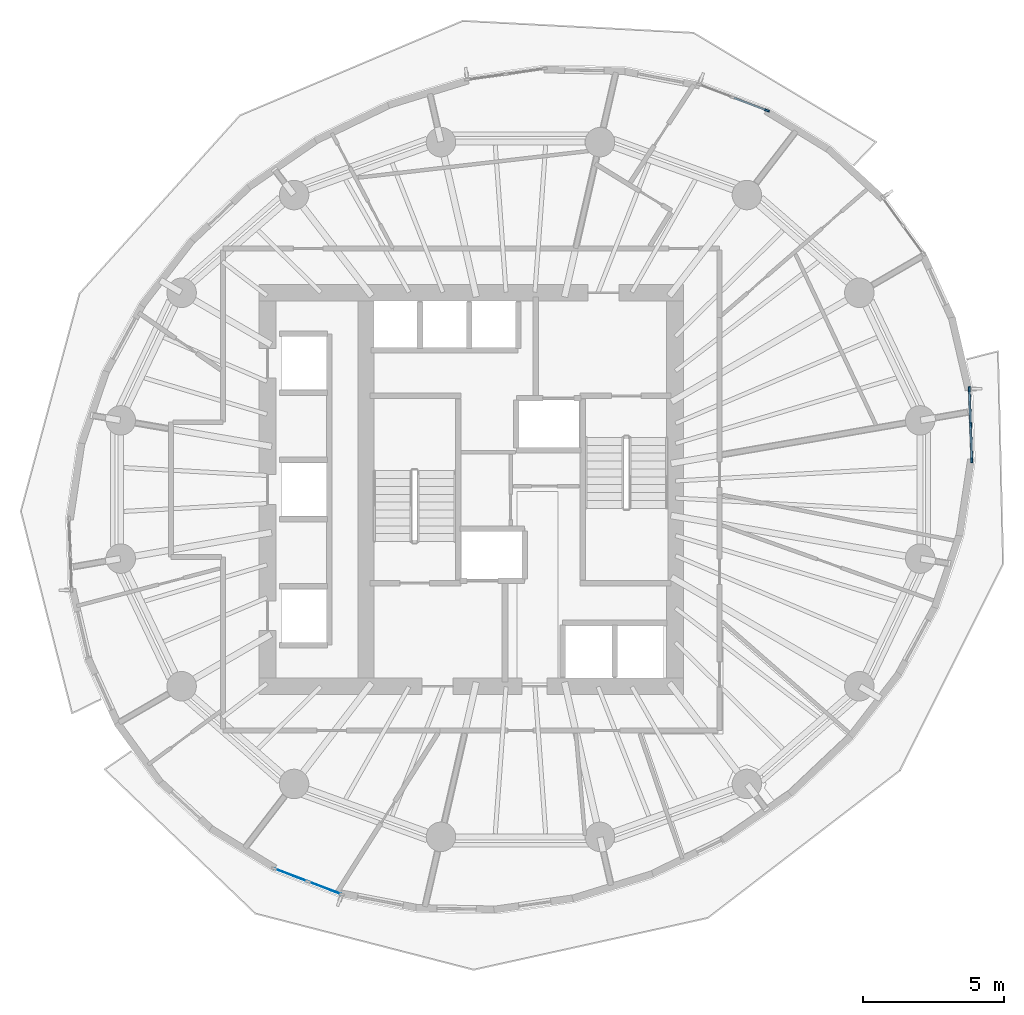
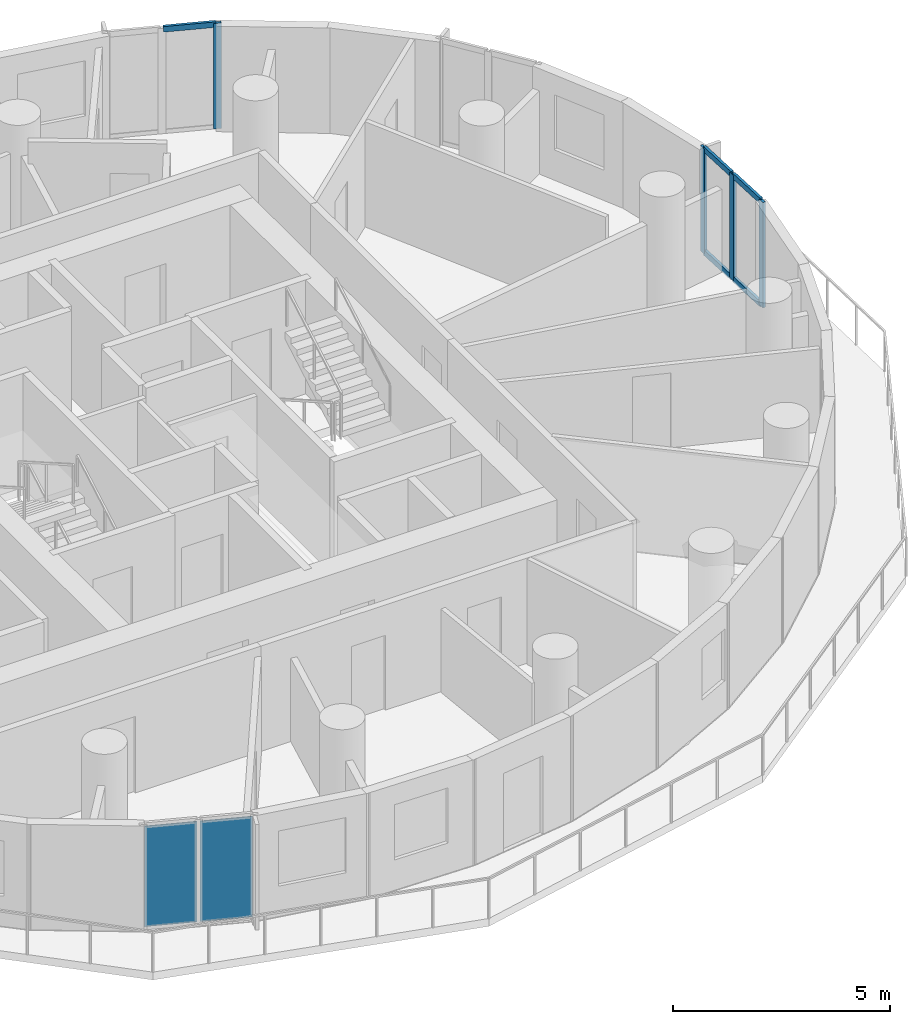
# One storey, part 4 of 14: 9 members, 2 plates, 3 elements without a shape of their own.
"""IFC4 building model written with IfcOpenShell, lengths in metres."""

import ifcopenshell
import ifcopenshell.guid

model = None  # the IFC model being written
_history = None  # IfcOwnerHistory: only IFC2X3 demands one
_inside = {}  # id of a spatial element -> (the spatial element, [elements in it])
_under = {}  # id of a project, library or spatial element -> (it, [spatial elements below it])
_declared = {}  # id of a project -> (the project, [libraries it declares])
_typed = {}  # id of a type object -> (the type object, [elements of that type])
_made_of = {}  # id of a material, layer set ... -> (it, [elements and type objects made of it])


def new_model(schema):
    """Start an empty IFC model of exactly this schema.

    Asked for "IFC4X3", IfcOpenShell would pick the latest addendum, in which some entities
    have other attributes; the version numbers below select the first issue.
    IFC2X3 requires an IfcOwnerHistory on every rooted entity: one is made here for all.
    """
    global model, _history
    if schema == "IFC4X3":
        model = ifcopenshell.file(schema_version=(4, 3, 0, 0))
    else:
        model = ifcopenshell.file(schema=schema)
    _inside.clear()
    _under.clear()
    _declared.clear()
    _typed.clear()
    _made_of.clear()
    _history = None
    if model.schema == "IFC2X3":
        org = make("IfcOrganization", Name="unknown")
        user = make(
            "IfcPersonAndOrganization",
            ThePerson=make("IfcPerson", FamilyName="unknown"),
            TheOrganization=org,
        )
        app = make(
            "IfcApplication",
            ApplicationDeveloper=org,
            Version="unknown",
            ApplicationFullName="unknown",
            ApplicationIdentifier="unknown",
        )
        _history = make(
            "IfcOwnerHistory",
            OwningUser=user,
            OwningApplication=app,
            ChangeAction="ADDED",
            CreationDate=0,
        )
    return model


def make(cls, **values):
    """One entity of the class cls with the attributes given. An attribute that is None is left unset."""
    return model.create_entity(
        cls, **{name: value for name, value in values.items() if value is not None}
    )


def rooted(cls, **values):
    """An entity with a GlobalId (a new one), such as an element, a storey or a relation."""
    return make(cls, GlobalId=ifcopenshell.guid.new(), OwnerHistory=_history, **values)


def si_unit(unit_type, name, prefix=None):
    """IfcSIUnit, for example si_unit("LENGTHUNIT", "METRE", prefix="MILLI")."""
    return make("IfcSIUnit", UnitType=unit_type, Prefix=prefix, Name=name)


def assignment(units):
    """IfcUnitAssignment: the units of a project."""
    return None if units is None else make("IfcUnitAssignment", Units=units)


def point(xyz):
    """IfcCartesianPoint."""
    return None if xyz is None else make("IfcCartesianPoint", Coordinates=xyz)


def direction(xyz):
    """IfcDirection."""
    return None if xyz is None else make("IfcDirection", DirectionRatios=xyz)


def frame(location, z_axis=None, x_axis=None):
    """IfcAxis2Placement3D, a coordinate frame: its origin and axes. An axis left out is left unset."""
    return make(
        "IfcAxis2Placement3D",
        Location=point(location),
        Axis=direction(z_axis),
        RefDirection=direction(x_axis),
    )


def frame_2d(location, x_axis=None):
    """IfcAxis2Placement2D, a coordinate frame in the plane: its origin and x axis."""
    return make(
        "IfcAxis2Placement2D", Location=point(location), RefDirection=direction(x_axis)
    )


def origin():
    """The frame at (0, 0, 0) with its axes left unset."""
    return frame((0.0, 0.0, 0.0))


def origin_2d():
    """The frame at (0, 0) in the plane with its x axis left unset."""
    return frame_2d((0.0, 0.0))


def place(relative_to, where):
    """IfcLocalPlacement: puts the frame where relative to a parent placement (None: the world)."""
    return make(
        "IfcLocalPlacement", PlacementRelTo=relative_to, RelativePlacement=where
    )


def context(
    kind, dimensions, precision=None, world=None, true_north=None, identifier=None
):
    """IfcGeometricRepresentationContext, for example the 3D "Model" context."""
    return make(
        "IfcGeometricRepresentationContext",
        ContextIdentifier=identifier,
        ContextType=kind,
        CoordinateSpaceDimension=dimensions,
        Precision=precision,
        WorldCoordinateSystem=world,
        TrueNorth=true_north,
    )


def subcontext(parent, identifier, kind, view, scale=None):
    """IfcGeometricRepresentationSubContext, for example "Body" below "Model"."""
    return make(
        "IfcGeometricRepresentationSubContext",
        ContextIdentifier=identifier,
        ContextType=kind,
        ParentContext=parent,
        TargetScale=scale,
        TargetView=view,
    )


def project(units=None, contexts=None):
    """IfcProject with its units and contexts."""
    return rooted(
        "IfcProject",
        Name="project",
        RepresentationContexts=contexts,
        UnitsInContext=assignment(units),
    )


def spatial(cls, under=None, at=None, **own):
    """A site, building, storey or space (cls), placed at a placement, below another one or the project."""
    s = rooted(cls, ObjectPlacement=at, **own)
    if under is not None:
        _under.setdefault(under.id(), (under, []))[1].append(s)
    return s


def profile(cls, at=None, kind="AREA", **sizes):
    """A parametric profile (cls). Its sizes go by their IFC names, for example OverallWidth=200.0."""
    return make(cls, ProfileType=kind, Position=at, **sizes)


def rectangle(**sizes):
    """IfcRectangleProfileDef."""
    return profile("IfcRectangleProfileDef", **sizes)


def extrude(swept, where, along, depth):
    """IfcExtrudedAreaSolid: the profile swept, set in the frame where, extruded along a direction by depth."""
    return make(
        "IfcExtrudedAreaSolid",
        SweptArea=swept,
        Position=where,
        ExtrudedDirection=direction(along),
        Depth=depth,
    )


def shape(context_of_items, identifier, shape_type, items):
    """IfcShapeRepresentation: the items that make up one representation, for example the "Body"."""
    return make(
        "IfcShapeRepresentation",
        ContextOfItems=context_of_items,
        RepresentationIdentifier=identifier,
        RepresentationType=shape_type,
        Items=items,
    )


def material(Name=None, Category=None):
    """IfcMaterial."""
    return make("IfcMaterial", Name=Name, Category=Category)


def layer(
    of_material, thickness, ventilated=None, Name=None, Category=None, Priority=None
):
    """IfcMaterialLayer: one layer of a wall or slab, of a material (None: an air gap)."""
    return make(
        "IfcMaterialLayer",
        Material=of_material,
        LayerThickness=thickness,
        IsVentilated=ventilated,
        Name=Name,
        Category=Category,
        Priority=Priority,
    )


def layer_set(layers, Name=None):
    """IfcMaterialLayerSet."""
    return make("IfcMaterialLayerSet", MaterialLayers=layers, LayerSetName=Name)


def material_profile(
    of_material, cross_section, Name=None, Category=None, Priority=None
):
    """IfcMaterialProfile: a cross section and its material."""
    return make(
        "IfcMaterialProfile",
        Name=Name,
        Material=of_material,
        Profile=cross_section,
        Priority=Priority,
        Category=Category,
    )


def profile_set(profiles, Name=None, composite=None):
    """IfcMaterialProfileSet."""
    return make(
        "IfcMaterialProfileSet",
        Name=Name,
        MaterialProfiles=profiles,
        CompositeProfile=composite,
    )


def made_of(thing, what):
    """Note that an element or type object is made of a material, layer set ...; save() writes the relation."""
    if what is not None:
        _made_of.setdefault(what.id(), (what, []))[1].append(thing)
    return thing


def type_object(cls, material=None, **own):
    """A type object (cls), such as IfcWallType, which elements share."""
    return made_of(rooted(cls, **own), material)


def element(
    cls,
    number,
    at=None,
    inside=None,
    cuts=None,
    type_object=None,
    material=None,
    context=None,
    identifier="Body",
    shape_type=None,
    held_by="IfcProductDefinitionShape",
    body=None,
    shapes=None,
    **own,
):
    """One element of the class cls, such as IfcWall. Its Tag is "e" and its number.

    at: its placement. inside: the storey or other place that contains it. cuts: it is an
    opening in that element (IfcRelVoidsElement). A single representation is given by context,
    identifier, shape_type and body (its items); several are given by shapes. held_by: the class
    of the entity that holds the representations. save() writes the other relations.
    """
    e = rooted(cls, Tag="e%d" % number, ObjectPlacement=at, **own)
    if body is not None:
        shapes = [shape(context, identifier, shape_type, body)]
    if shapes is not None:
        e.Representation = make(held_by, Representations=shapes)
    if inside is not None:
        _inside.setdefault(inside.id(), (inside, []))[1].append(e)
    if cuts is not None:
        rooted(
            "IfcRelVoidsElement", RelatingBuildingElement=cuts, RelatedOpeningElement=e
        )
    if type_object is not None:
        _typed.setdefault(type_object.id(), (type_object, []))[1].append(e)
    return made_of(e, material)


def aggregate(whole, parts):
    """IfcRelAggregates: a whole, such as a stair, and the parts it consists of."""
    return rooted("IfcRelAggregates", RelatingObject=whole, RelatedObjects=parts)


def save(model, path):
    """Write the relations noted so far, then the file.

    IfcRelAggregates (storeys below a building ...), IfcRelContainedInSpatialStructure (elements
    in a storey), IfcRelDefinesByType, IfcRelAssociatesMaterial and IfcRelDeclares: one each for
    every whole, place, type object, material and project.
    """
    for whole, parts in _under.values():
        aggregate(whole, parts)
    for where, things in _inside.values():
        rooted(
            "IfcRelContainedInSpatialStructure",
            RelatedElements=things,
            RelatingStructure=where,
        )
    for kind, things in _typed.values():
        rooted("IfcRelDefinesByType", RelatedObjects=things, RelatingType=kind)
    for what, things in _made_of.values():
        rooted("IfcRelAssociatesMaterial", RelatedObjects=things, RelatingMaterial=what)
    for by, libraries in _declared.values():
        rooted("IfcRelDeclares", RelatingContext=by, RelatedDefinitions=libraries)
    model.write(path)


model = new_model("IFC4")

# Units and contexts
model_context = context("Model", 3, precision=1e-05, world=origin(), true_north=direction((0.0, 1.0)))
body_context = subcontext(model_context, "Body", "Model", "MODEL_VIEW")
ifc_project = project(units=[si_unit("LENGTHUNIT", "METRE"), si_unit("AREAUNIT", "SQUARE_METRE"), si_unit("VOLUMEUNIT", "CUBIC_METRE"), si_unit("PLANEANGLEUNIT", "RADIAN"), si_unit("MASSUNIT", "GRAM", prefix="KILO")], contexts=[model_context])

# Site, building, storey
site_placement = place(None, origin())
site = spatial("IfcSite", under=ifc_project, at=site_placement, CompositionType="ELEMENT")
building_placement = place(site_placement, origin())
building = spatial("IfcBuilding", under=site, at=building_placement, Name="Veldorim Arch Residences", CompositionType="ELEMENT")
storey_placement = place(building_placement, frame((0.0, 0.0, 129.760009765625)))
storey = spatial("IfcBuildingStorey", under=building, at=storey_placement, Name="L38", CompositionType="ELEMENT", Elevation=129.760009765625)

# Curtain wall, member
ifc_material_1 = material(Name="Aluminium", Category="aluminium")
curtain_wall_type = type_object("IfcCurtainWallType", Name="Zone 3 High-Wind Unitised Curtain Wall", PredefinedType="NOTDEFINED", material=ifc_material_1)
curtain_wall_1_placement = place(storey_placement, origin())
curtain_wall_1 = element("IfcCurtainWall", 1, at=curtain_wall_1_placement, inside=storey, type_object=curtain_wall_type, Name="L38 unitised curtain wall bay 04", PredefinedType="NOTDEFINED")
ifc_material_2 = material(Name="Aluminium", Category="aluminium")
ifc_material_profile_1 = material_profile(ifc_material_2, rectangle(XDim=0.070068359375, YDim=0.179931640625, at=origin_2d()), Name="ALU_MUL_70x180")
ifc_profile_set_1 = profile_set([ifc_material_profile_1], Name="Aluminium")
member_type_1 = type_object("IfcMemberType", Name="Zone 3 High-Wind Unitised Curtain Wall Mullion 70x180", PredefinedType="MULLION", material=ifc_profile_set_1)
member_1_placement = place(storey_placement, frame((40.7734375, 37.484130859375, 0.0), z_axis=(0.0, 0.0, 1.0), x_axis=(0.356987085335, 0.934109319568, 0.0)))
member_1 = element("IfcMember", 2, at=member_1_placement, type_object=member_type_1, Name="CW-Z3 mullion 3", PredefinedType="MULLION", context=body_context, shape_type="SweptSolid", body=[
    extrude(rectangle(XDim=0.070068359375, YDim=0.179931640625, at=origin_2d()), origin(), (0.0, 0.0, 1.0), 2.9599609375),
])

# Curtain wall, members
curtain_wall_2_placement = place(storey_placement, origin())
curtain_wall_2 = element("IfcCurtainWall", 3, at=curtain_wall_2_placement, inside=storey, type_object=curtain_wall_type, Name="L38 unitised curtain wall bay 34", PredefinedType="NOTDEFINED")
member_2_placement = place(storey_placement, frame((47.9697265625, 27.57470703125, 0.0), z_axis=(0.0, 0.0, 1.0), x_axis=(0.999369736243, 0.035498313784, 0.0)))
member_2 = element("IfcMember", 4, at=member_2_placement, type_object=member_type_1, Name="CW-Z3 mullion 1", PredefinedType="MULLION", context=body_context, shape_type="SweptSolid", body=[
    extrude(rectangle(XDim=0.070068359375, YDim=0.179931640625, at=origin_2d()), origin(), (0.0, 0.0, 1.0), 2.9599609375),
])
member_3_placement = place(storey_placement, frame((48.014892578125, 26.30908203125, 0.0), z_axis=(0.0, 0.0, 1.0), x_axis=(0.999369736243, 0.035498313784, 0.0)))
member_3 = element("IfcMember", 5, at=member_3_placement, type_object=member_type_1, Name="CW-Z3 mullion 2", PredefinedType="MULLION", context=body_context, shape_type="SweptSolid", body=[
    extrude(rectangle(XDim=0.070068359375, YDim=0.179931640625, at=origin_2d()), origin(), (0.0, 0.0, 1.0), 2.9599609375),
])
member_4_placement = place(storey_placement, frame((48.059814453125, 25.04345703125, 0.0), z_axis=(0.0, 0.0, 1.0), x_axis=(0.999369736243, 0.035498313784, 0.0)))
member_4 = element("IfcMember", 6, at=member_4_placement, type_object=member_type_1, Name="CW-Z3 mullion 3", PredefinedType="MULLION", context=body_context, shape_type="SweptSolid", body=[
    extrude(rectangle(XDim=0.070068359375, YDim=0.179931640625, at=origin_2d()), origin(), (0.0, 0.0, 1.0), 2.9599609375),
])

# Member
ifc_material_3 = material(Name="Aluminium", Category="aluminium")
ifc_material_profile_2 = material_profile(ifc_material_3, rectangle(XDim=0.070068359375, YDim=0.155029296875, at=origin_2d()), Name="ALU_TRN_70x155")
ifc_profile_set_2 = profile_set([ifc_material_profile_2], Name="Aluminium")
member_type_2 = type_object("IfcMemberType", Name="Zone 3 High-Wind Unitised Curtain Wall Transom 70x155", PredefinedType="USERDEFINED", material=ifc_profile_set_2)
member_5_placement = place(storey_placement, frame((39.595703125, 37.934326171875, 2.925048828125), z_axis=(0.934067466256, -0.357096581449, 0.0), x_axis=(0.357096581449, 0.934067466256, 0.0)))
member_5 = element("IfcMember", 7, at=member_5_placement, type_object=member_type_2, Name="CW-Z3 transom 2.2", ObjectType="TRANSOM", PredefinedType="USERDEFINED", context=body_context, shape_type="SweptSolid", body=[
    extrude(rectangle(XDim=0.070068359375, YDim=0.155029296875, at=origin_2d()), origin(), (0.0, 0.0, 1.0), 1.225830078125),
])

aggregate(curtain_wall_1, [member_1, member_5])

member_6_placement = place(storey_placement, frame((47.97119140625, 27.539794921875, 0.034912109375), z_axis=(0.035502308986, -0.999369594323, 0.0), x_axis=(0.999369594323, 0.035502308986, 0.0)))
member_6 = element("IfcMember", 8, at=member_6_placement, type_object=member_type_2, Name="CW-Z3 transom 1.1", ObjectType="TRANSOM", PredefinedType="USERDEFINED", context=body_context, shape_type="SweptSolid", body=[
    extrude(rectangle(XDim=0.070068359375, YDim=0.155029296875, at=origin_2d()), origin(), (0.0, 0.0, 1.0), 1.196533203125),
])

member_7_placement = place(storey_placement, frame((47.97119140625, 27.539794921875, 2.925048828125), z_axis=(0.035502308986, -0.999369594323, 0.0), x_axis=(0.999369594323, 0.035502308986, 0.0)))
member_7 = element("IfcMember", 9, at=member_7_placement, type_object=member_type_2, Name="CW-Z3 transom 1.2", ObjectType="TRANSOM", PredefinedType="USERDEFINED", context=body_context, shape_type="SweptSolid", body=[
    extrude(rectangle(XDim=0.070068359375, YDim=0.155029296875, at=origin_2d()), origin(), (0.0, 0.0, 1.0), 1.196533203125),
])

member_8_placement = place(storey_placement, frame((48.01611328125, 26.274169921875, 0.034912109375), z_axis=(0.035502308986, -0.999369594323, 0.0), x_axis=(0.999369594323, 0.035502308986, 0.0)))
member_8 = element("IfcMember", 10, at=member_8_placement, type_object=member_type_2, Name="CW-Z3 transom 2.1", ObjectType="TRANSOM", PredefinedType="USERDEFINED", context=body_context, shape_type="SweptSolid", body=[
    extrude(rectangle(XDim=0.070068359375, YDim=0.155029296875, at=origin_2d()), origin(), (0.0, 0.0, 1.0), 1.196533203125),
])

member_9_placement = place(storey_placement, frame((48.01611328125, 26.274169921875, 2.925048828125), z_axis=(0.035502308986, -0.999369594323, 0.0), x_axis=(0.999369594323, 0.035502308986, 0.0)))
member_9 = element("IfcMember", 11, at=member_9_placement, type_object=member_type_2, Name="CW-Z3 transom 2.2", ObjectType="TRANSOM", PredefinedType="USERDEFINED", context=body_context, shape_type="SweptSolid", body=[
    extrude(rectangle(XDim=0.070068359375, YDim=0.155029296875, at=origin_2d()), origin(), (0.0, 0.0, 1.0), 1.196533203125),
])

aggregate(curtain_wall_2, [member_2, member_3, member_4, member_6, member_7, member_8, member_9])

# Curtain wall, plates
curtain_wall_3_placement = place(storey_placement, origin())
curtain_wall_3 = element("IfcCurtainWall", 12, at=curtain_wall_3_placement, inside=storey, type_object=curtain_wall_type, Name="L38 unitised curtain wall bay 22", PredefinedType="NOTDEFINED")
ifc_material_4 = material(Name="Laminated Low-E Glass", Category="glass")
ifc_layer = layer(ifc_material_4, 0.028076171875, Name="Zone 3 High-Wind Unitised Curtain Wall Glazing Panel 28")
ifc_layer_set = layer_set([ifc_layer], Name="Laminated Low-E Glass")
plate_type = type_object("IfcPlateType", Name="Zone 3 High-Wind Unitised Curtain Wall Glazing Panel 28", PredefinedType="CURTAIN_PANEL", material=ifc_layer_set)
plate_1_placement = place(storey_placement, frame((25.04248046875, 9.82177734375, 0.06982421875), z_axis=(0.0, 0.0, 1.0), x_axis=(-0.934109319568, 0.356987085335, 0.0)))
plate_1 = element("IfcPlate", 13, at=plate_1_placement, type_object=plate_type, Name="CW-Z3 panel 1.1", PredefinedType="CURTAIN_PANEL", context=body_context, shape_type="SweptSolid", body=[
    extrude(rectangle(XDim=1.22607421875, YDim=0.028076171875, at=origin_2d()), origin(), (0.0, 0.0, 1.0), 2.820068359375),
])
plate_2_placement = place(storey_placement, frame((23.831787109375, 10.284423828125, 0.06982421875), z_axis=(0.0, 0.0, 1.0), x_axis=(-0.934109319568, 0.356987085335, 0.0)))
plate_2 = element("IfcPlate", 14, at=plate_2_placement, type_object=plate_type, Name="CW-Z3 panel 2.1", PredefinedType="CURTAIN_PANEL", context=body_context, shape_type="SweptSolid", body=[
    extrude(rectangle(XDim=1.22607421875, YDim=0.028076171875, at=origin_2d()), origin(), (0.0, 0.0, 1.0), 2.820068359375),
])
aggregate(curtain_wall_3, [plate_1, plate_2])

save(model, "model.ifc")
